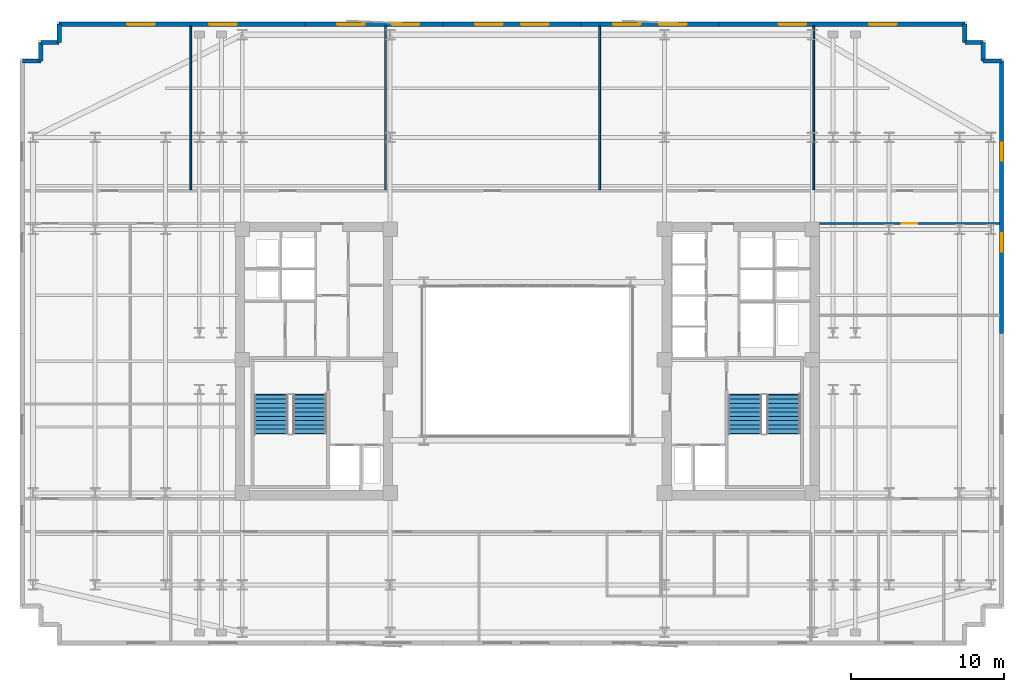
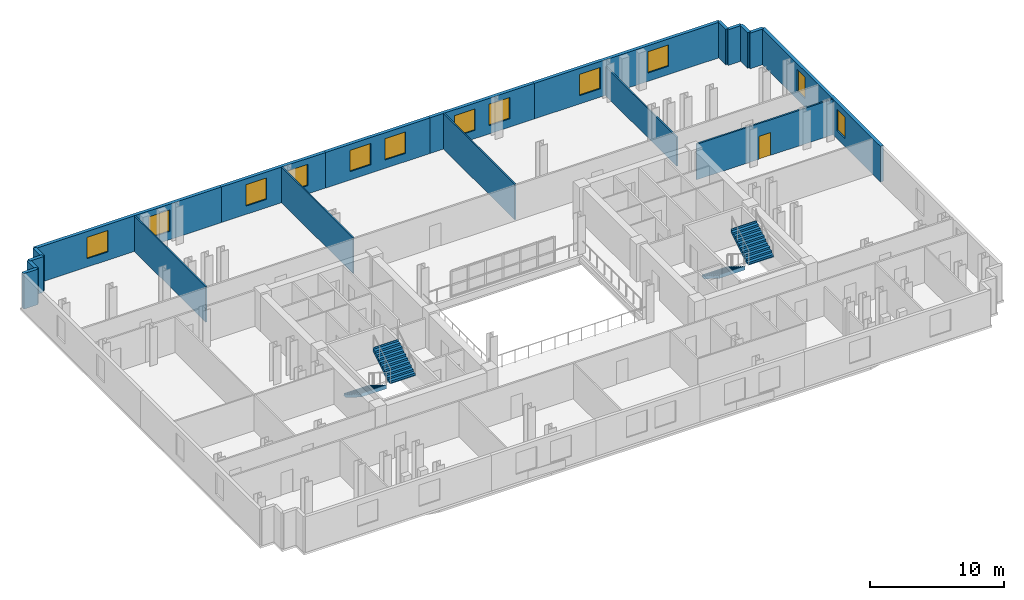
# One storey, part 10 of 12: 19 walls, 12 windows, 4 stair flights, 1 door, 13 openings, 2 elements without a shape of their own.
"""IFC4 building model written with IfcOpenShell, lengths in metres."""

import ifcopenshell
import ifcopenshell.guid

model = None  # the IFC model being written
_history = None  # IfcOwnerHistory: only IFC2X3 demands one
_inside = {}  # id of a spatial element -> (the spatial element, [elements in it])
_under = {}  # id of a project, library or spatial element -> (it, [spatial elements below it])
_declared = {}  # id of a project -> (the project, [libraries it declares])
_typed = {}  # id of a type object -> (the type object, [elements of that type])
_made_of = {}  # id of a material, layer set ... -> (it, [elements and type objects made of it])


def new_model(schema):
    """Start an empty IFC model of exactly this schema.

    Asked for "IFC4X3", IfcOpenShell would pick the latest addendum, in which some entities
    have other attributes; the version numbers below select the first issue.
    IFC2X3 requires an IfcOwnerHistory on every rooted entity: one is made here for all.
    """
    global model, _history
    if schema == "IFC4X3":
        model = ifcopenshell.file(schema_version=(4, 3, 0, 0))
    else:
        model = ifcopenshell.file(schema=schema)
    _inside.clear()
    _under.clear()
    _declared.clear()
    _typed.clear()
    _made_of.clear()
    _history = None
    if model.schema == "IFC2X3":
        org = make("IfcOrganization", Name="unknown")
        user = make(
            "IfcPersonAndOrganization",
            ThePerson=make("IfcPerson", FamilyName="unknown"),
            TheOrganization=org,
        )
        app = make(
            "IfcApplication",
            ApplicationDeveloper=org,
            Version="unknown",
            ApplicationFullName="unknown",
            ApplicationIdentifier="unknown",
        )
        _history = make(
            "IfcOwnerHistory",
            OwningUser=user,
            OwningApplication=app,
            ChangeAction="ADDED",
            CreationDate=0,
        )
    return model


def make(cls, **values):
    """One entity of the class cls with the attributes given. An attribute that is None is left unset."""
    return model.create_entity(
        cls, **{name: value for name, value in values.items() if value is not None}
    )


def rooted(cls, **values):
    """An entity with a GlobalId (a new one), such as an element, a storey or a relation."""
    return make(cls, GlobalId=ifcopenshell.guid.new(), OwnerHistory=_history, **values)


def si_unit(unit_type, name, prefix=None):
    """IfcSIUnit, for example si_unit("LENGTHUNIT", "METRE", prefix="MILLI")."""
    return make("IfcSIUnit", UnitType=unit_type, Prefix=prefix, Name=name)


def assignment(units):
    """IfcUnitAssignment: the units of a project."""
    return None if units is None else make("IfcUnitAssignment", Units=units)


def point(xyz):
    """IfcCartesianPoint."""
    return None if xyz is None else make("IfcCartesianPoint", Coordinates=xyz)


def direction(xyz):
    """IfcDirection."""
    return None if xyz is None else make("IfcDirection", DirectionRatios=xyz)


def frame(location, z_axis=None, x_axis=None):
    """IfcAxis2Placement3D, a coordinate frame: its origin and axes. An axis left out is left unset."""
    return make(
        "IfcAxis2Placement3D",
        Location=point(location),
        Axis=direction(z_axis),
        RefDirection=direction(x_axis),
    )


def frame_2d(location, x_axis=None):
    """IfcAxis2Placement2D, a coordinate frame in the plane: its origin and x axis."""
    return make(
        "IfcAxis2Placement2D", Location=point(location), RefDirection=direction(x_axis)
    )


def origin():
    """The frame at (0, 0, 0) with its axes left unset."""
    return frame((0.0, 0.0, 0.0))


def place(relative_to, where):
    """IfcLocalPlacement: puts the frame where relative to a parent placement (None: the world)."""
    return make(
        "IfcLocalPlacement", PlacementRelTo=relative_to, RelativePlacement=where
    )


def context(
    kind, dimensions, precision=None, world=None, true_north=None, identifier=None
):
    """IfcGeometricRepresentationContext, for example the 3D "Model" context."""
    return make(
        "IfcGeometricRepresentationContext",
        ContextIdentifier=identifier,
        ContextType=kind,
        CoordinateSpaceDimension=dimensions,
        Precision=precision,
        WorldCoordinateSystem=world,
        TrueNorth=true_north,
    )


def subcontext(parent, identifier, kind, view, scale=None):
    """IfcGeometricRepresentationSubContext, for example "Body" below "Model"."""
    return make(
        "IfcGeometricRepresentationSubContext",
        ContextIdentifier=identifier,
        ContextType=kind,
        ParentContext=parent,
        TargetScale=scale,
        TargetView=view,
    )


def project(units=None, contexts=None):
    """IfcProject with its units and contexts."""
    return rooted(
        "IfcProject",
        Name="project",
        RepresentationContexts=contexts,
        UnitsInContext=assignment(units),
    )


def spatial(cls, under=None, at=None, **own):
    """A site, building, storey or space (cls), placed at a placement, below another one or the project."""
    s = rooted(cls, ObjectPlacement=at, **own)
    if under is not None:
        _under.setdefault(under.id(), (under, []))[1].append(s)
    return s


def polyline(points):
    """IfcPolyline through the points."""
    return make("IfcPolyline", Points=[point(p) for p in points])


def profile(cls, at=None, kind="AREA", **sizes):
    """A parametric profile (cls). Its sizes go by their IFC names, for example OverallWidth=200.0."""
    return make(cls, ProfileType=kind, Position=at, **sizes)


def rectangle(**sizes):
    """IfcRectangleProfileDef."""
    return profile("IfcRectangleProfileDef", **sizes)


def outline(outer, holes=None, kind="AREA"):
    """IfcArbitraryClosedProfileDef: a profile drawn as a closed curve; with holes, ...WithVoids."""
    if holes is None:
        return make("IfcArbitraryClosedProfileDef", ProfileType=kind, OuterCurve=outer)
    return make(
        "IfcArbitraryProfileDefWithVoids",
        ProfileType=kind,
        OuterCurve=outer,
        InnerCurves=holes,
    )


def extrude(swept, where, along, depth):
    """IfcExtrudedAreaSolid: the profile swept, set in the frame where, extruded along a direction by depth."""
    return make(
        "IfcExtrudedAreaSolid",
        SweptArea=swept,
        Position=where,
        ExtrudedDirection=direction(along),
        Depth=depth,
    )


def shape(context_of_items, identifier, shape_type, items):
    """IfcShapeRepresentation: the items that make up one representation, for example the "Body"."""
    return make(
        "IfcShapeRepresentation",
        ContextOfItems=context_of_items,
        RepresentationIdentifier=identifier,
        RepresentationType=shape_type,
        Items=items,
    )


def material(Name=None, Category=None):
    """IfcMaterial."""
    return make("IfcMaterial", Name=Name, Category=Category)


def layer(
    of_material, thickness, ventilated=None, Name=None, Category=None, Priority=None
):
    """IfcMaterialLayer: one layer of a wall or slab, of a material (None: an air gap)."""
    return make(
        "IfcMaterialLayer",
        Material=of_material,
        LayerThickness=thickness,
        IsVentilated=ventilated,
        Name=Name,
        Category=Category,
        Priority=Priority,
    )


def layer_set(layers, Name=None):
    """IfcMaterialLayerSet."""
    return make("IfcMaterialLayerSet", MaterialLayers=layers, LayerSetName=Name)


def made_of(thing, what):
    """Note that an element or type object is made of a material, layer set ...; save() writes the relation."""
    if what is not None:
        _made_of.setdefault(what.id(), (what, []))[1].append(thing)
    return thing


def type_object(cls, material=None, **own):
    """A type object (cls), such as IfcWallType, which elements share."""
    return made_of(rooted(cls, **own), material)


def element(
    cls,
    number,
    at=None,
    inside=None,
    cuts=None,
    type_object=None,
    material=None,
    context=None,
    identifier="Body",
    shape_type=None,
    held_by="IfcProductDefinitionShape",
    body=None,
    shapes=None,
    **own,
):
    """One element of the class cls, such as IfcWall. Its Tag is "e" and its number.

    at: its placement. inside: the storey or other place that contains it. cuts: it is an
    opening in that element (IfcRelVoidsElement). A single representation is given by context,
    identifier, shape_type and body (its items); several are given by shapes. held_by: the class
    of the entity that holds the representations. save() writes the other relations.
    """
    e = rooted(cls, Tag="e%d" % number, ObjectPlacement=at, **own)
    if body is not None:
        shapes = [shape(context, identifier, shape_type, body)]
    if shapes is not None:
        e.Representation = make(held_by, Representations=shapes)
    if inside is not None:
        _inside.setdefault(inside.id(), (inside, []))[1].append(e)
    if cuts is not None:
        rooted(
            "IfcRelVoidsElement", RelatingBuildingElement=cuts, RelatedOpeningElement=e
        )
    if type_object is not None:
        _typed.setdefault(type_object.id(), (type_object, []))[1].append(e)
    return made_of(e, material)


def fill(opening, filler):
    """IfcRelFillsElement: the door or window that sits in an opening."""
    return rooted(
        "IfcRelFillsElement",
        RelatingOpeningElement=opening,
        RelatedBuildingElement=filler,
    )


def aggregate(whole, parts):
    """IfcRelAggregates: a whole, such as a stair, and the parts it consists of."""
    return rooted("IfcRelAggregates", RelatingObject=whole, RelatedObjects=parts)


def save(model, path):
    """Write the relations noted so far, then the file.

    IfcRelAggregates (storeys below a building ...), IfcRelContainedInSpatialStructure (elements
    in a storey), IfcRelDefinesByType, IfcRelAssociatesMaterial and IfcRelDeclares: one each for
    every whole, place, type object, material and project.
    """
    for whole, parts in _under.values():
        aggregate(whole, parts)
    for where, things in _inside.values():
        rooted(
            "IfcRelContainedInSpatialStructure",
            RelatedElements=things,
            RelatingStructure=where,
        )
    for kind, things in _typed.values():
        rooted("IfcRelDefinesByType", RelatedObjects=things, RelatingType=kind)
    for what, things in _made_of.values():
        rooted("IfcRelAssociatesMaterial", RelatedObjects=things, RelatingMaterial=what)
    for by, libraries in _declared.values():
        rooted("IfcRelDeclares", RelatingContext=by, RelatedDefinitions=libraries)
    model.write(path)


model = new_model("IFC4")

# Units and contexts
model_context = context("Model", 3, precision=1e-05, world=origin(), true_north=direction((0.0, 1.0)))
body_context = subcontext(model_context, "Body", "Model", "MODEL_VIEW")
ifc_project = project(units=[si_unit("LENGTHUNIT", "METRE"), si_unit("AREAUNIT", "SQUARE_METRE"), si_unit("VOLUMEUNIT", "CUBIC_METRE"), si_unit("PLANEANGLEUNIT", "RADIAN"), si_unit("MASSUNIT", "GRAM", prefix="KILO")], contexts=[model_context])

# Site, building, storey
site_placement = place(None, origin())
site = spatial("IfcSite", under=ifc_project, at=site_placement, CompositionType="ELEMENT")
building_placement = place(site_placement, origin())
building = spatial("IfcBuilding", under=site, at=building_placement, Name="Velakula Bourse", CompositionType="ELEMENT")
storey_placement = place(building_placement, frame((0.0, 0.0, 134.64990234375)))
storey = spatial("IfcBuildingStorey", under=building, at=storey_placement, Name="L36", CompositionType="ELEMENT", Elevation=134.64990234375)

# Wall, openings, windows
ifc_material_1 = material(Name="Red kilned clay facing brick masonry", Category="masonry")
ifc_layer_1 = layer(ifc_material_1, 0.280029296875, Name="Red kilned clay facing brick masonry", Category="masonry")
ifc_layer_set_1 = layer_set([ifc_layer_1], Name="Red kilned clay facing brick masonry")
wall_type_1 = type_object("IfcWallType", Name="WL-EXT-BRK-280", PredefinedType="STANDARD", material=ifc_layer_set_1)
wall_1_placement = place(storey_placement, frame((-30.5400390625, 21.989990234375, 0.0), z_axis=(0.0, 0.0, 1.0), x_axis=(1.0, 0.0, 0.0)))
wall_1 = element("IfcWall", 1, at=wall_1_placement, inside=storey, type_object=wall_type_1, Name="L36 N Brick Spandrel Wall B1", PredefinedType="STANDARD", context=body_context, shape_type="SweptSolid", body=[
    extrude(rectangle(XDim=16.0400390625, YDim=0.280029296875, at=frame_2d((8.02001953125, 0.0))), origin(), (0.0, 0.0, 1.0), 3.25),
])
opening_1_placement = place(wall_1_placement, frame((4.44677734375, 0.0, 0.760009765625)))
opening_1 = element("IfcOpeningElement", 2, at=opening_1_placement, cuts=wall_1, Name="Opening W-01", PredefinedType="OPENING", context=body_context, shape_type="SweptSolid", body=[
    extrude(rectangle(XDim=1.800048828125, YDim=1.949951171875, at=frame_2d((0.89990234375, 0.97509765625))), frame((0.0, 0.14990234375, 0.0), z_axis=(0.0, -1.0, 0.0), x_axis=(1.0, 0.0, 0.0)), (0.0, 0.0, 1.0), 0.300048828125),
])
opening_2_placement = place(wall_1_placement, frame((9.793212890625, 0.0, 0.760009765625)))
opening_2 = element("IfcOpeningElement", 3, at=opening_2_placement, cuts=wall_1, Name="Opening W-01", PredefinedType="OPENING", context=body_context, shape_type="SweptSolid", body=[
    extrude(rectangle(XDim=1.800048828125, YDim=1.949951171875, at=frame_2d((0.89990234375, 0.97509765625))), frame((0.0, 0.14990234375, 0.0), z_axis=(0.0, -1.0, 0.0), x_axis=(1.0, 0.0, 0.0)), (0.0, 0.0, 1.0), 0.300048828125),
])
ifc_material_2 = material(Name="Double-glazed solar-control Low-E glass", Category="glass")
window_type_1 = type_object("IfcWindowType", Name="WIN-TWR-1800x2100", PartitioningType="SINGLE_PANEL", PredefinedType="WINDOW", material=ifc_material_2)
window_1_placement = place(opening_1_placement, origin())
window_1 = element("IfcWindow", 4, at=window_1_placement, inside=storey, type_object=window_type_1, Name="L36 Deep-Set Recessed Window 1", OverallHeight=1.949951171875, OverallWidth=1.800048828125, PartitioningType="SINGLE_PANEL", PredefinedType="WINDOW", context=body_context, shape_type="SweptSolid", body=[
    extrude(rectangle(XDim=1.800048828125, YDim=1.949951171875, at=frame_2d((0.89990234375, 0.97509765625))), frame((0.0, 0.030029296875, 0.0), z_axis=(0.0, -1.0, 0.0), x_axis=(1.0, 0.0, 0.0)), (0.0, 0.0, 1.0), 0.06005859375),
])
fill(opening_1, window_1)
window_2_placement = place(opening_2_placement, origin())
window_2 = element("IfcWindow", 5, at=window_2_placement, inside=storey, type_object=window_type_1, Name="L36 Deep-Set Recessed Window 2", OverallHeight=1.949951171875, OverallWidth=1.800048828125, PartitioningType="SINGLE_PANEL", PredefinedType="WINDOW", context=body_context, shape_type="SweptSolid", body=[
    extrude(rectangle(XDim=1.800048828125, YDim=1.949951171875, at=frame_2d((0.89990234375, 0.97509765625))), frame((0.0, 0.030029296875, 0.0), z_axis=(0.0, -1.0, 0.0), x_axis=(1.0, 0.0, 0.0)), (0.0, 0.0, 1.0), 0.06005859375),
])
fill(opening_2, window_2)

wall_2_placement = place(storey_placement, frame((-14.5, 21.989990234375, 0.0), z_axis=(0.0, 0.0, 1.0), x_axis=(1.0, 0.0, 0.0)))
wall_2 = element("IfcWall", 6, at=wall_2_placement, inside=storey, type_object=wall_type_1, Name="L36 N Brick Spandrel Wall B2", PredefinedType="STANDARD", context=body_context, shape_type="SweptSolid", body=[
    extrude(rectangle(XDim=9.0, YDim=0.280029296875, at=frame_2d((4.5, 0.0))), origin(), (0.0, 0.0, 1.0), 3.25),
])
opening_3_placement = place(wall_2_placement, frame((2.10009765625, 0.0, 0.760009765625)))
opening_3 = element("IfcOpeningElement", 7, at=opening_3_placement, cuts=wall_2, Name="Opening W-01", PredefinedType="OPENING", context=body_context, shape_type="SweptSolid", body=[
    extrude(rectangle(XDim=1.800048828125, YDim=1.949951171875, at=frame_2d((0.89990234375, 0.97509765625))), frame((0.0, 0.14990234375, 0.0), z_axis=(0.0, -1.0, 0.0), x_axis=(1.0, 0.0, 0.0)), (0.0, 0.0, 1.0), 0.300048828125),
])
opening_4_placement = place(wall_2_placement, frame((5.64990234375, 0.0, 0.760009765625)))
opening_4 = element("IfcOpeningElement", 8, at=opening_4_placement, cuts=wall_2, Name="Opening W-01", PredefinedType="OPENING", context=body_context, shape_type="SweptSolid", body=[
    extrude(rectangle(XDim=1.800048828125, YDim=1.949951171875, at=frame_2d((0.89990234375, 0.97509765625))), frame((0.0, 0.14990234375, 0.0), z_axis=(0.0, -1.0, 0.0), x_axis=(1.0, 0.0, 0.0)), (0.0, 0.0, 1.0), 0.300048828125),
])
window_3_placement = place(opening_3_placement, origin())
window_3 = element("IfcWindow", 9, at=window_3_placement, inside=storey, type_object=window_type_1, Name="L36 Deep-Set Recessed Window 1", OverallHeight=1.949951171875, OverallWidth=1.800048828125, PartitioningType="SINGLE_PANEL", PredefinedType="WINDOW", context=body_context, shape_type="SweptSolid", body=[
    extrude(rectangle(XDim=1.800048828125, YDim=1.949951171875, at=frame_2d((0.89990234375, 0.97509765625))), frame((0.0, 0.030029296875, 0.0), z_axis=(0.0, -1.0, 0.0), x_axis=(1.0, 0.0, 0.0)), (0.0, 0.0, 1.0), 0.06005859375),
])
fill(opening_3, window_3)
window_4_placement = place(opening_4_placement, origin())
window_4 = element("IfcWindow", 10, at=window_4_placement, inside=storey, type_object=window_type_1, Name="L36 Deep-Set Recessed Window 2", OverallHeight=1.949951171875, OverallWidth=1.800048828125, PartitioningType="SINGLE_PANEL", PredefinedType="WINDOW", context=body_context, shape_type="SweptSolid", body=[
    extrude(rectangle(XDim=1.800048828125, YDim=1.949951171875, at=frame_2d((0.89990234375, 0.97509765625))), frame((0.0, 0.030029296875, 0.0), z_axis=(0.0, -1.0, 0.0), x_axis=(1.0, 0.0, 0.0)), (0.0, 0.0, 1.0), 0.06005859375),
])
fill(opening_4, window_4)

wall_3_placement = place(storey_placement, frame((-5.5, 21.989990234375, 0.0), z_axis=(0.0, 0.0, 1.0), x_axis=(1.0, 0.0, 0.0)))
wall_3 = element("IfcWall", 11, at=wall_3_placement, inside=storey, type_object=wall_type_1, Name="L36 N Brick Spandrel Wall B3", PredefinedType="STANDARD", context=body_context, shape_type="SweptSolid", body=[
    extrude(rectangle(XDim=9.0, YDim=0.280029296875, at=frame_2d((4.5, 0.0))), origin(), (0.0, 0.0, 1.0), 3.25),
])
opening_5_placement = place(wall_3_placement, frame((2.10009765625, 0.0, 0.760009765625)))
opening_5 = element("IfcOpeningElement", 12, at=opening_5_placement, cuts=wall_3, Name="Opening W-01", PredefinedType="OPENING", context=body_context, shape_type="SweptSolid", body=[
    extrude(rectangle(XDim=1.800048828125, YDim=1.949951171875, at=frame_2d((0.89990234375, 0.97509765625))), frame((0.0, 0.14990234375, 0.0), z_axis=(0.0, -1.0, 0.0), x_axis=(1.0, 0.0, 0.0)), (0.0, 0.0, 1.0), 0.300048828125),
])
opening_6_placement = place(wall_3_placement, frame((5.10009765625, 0.0, 0.760009765625)))
opening_6 = element("IfcOpeningElement", 13, at=opening_6_placement, cuts=wall_3, Name="Opening W-01", PredefinedType="OPENING", context=body_context, shape_type="SweptSolid", body=[
    extrude(rectangle(XDim=1.800048828125, YDim=1.949951171875, at=frame_2d((0.89990234375, 0.97509765625))), frame((0.0, 0.14990234375, 0.0), z_axis=(0.0, -1.0, 0.0), x_axis=(1.0, 0.0, 0.0)), (0.0, 0.0, 1.0), 0.300048828125),
])
window_5_placement = place(opening_5_placement, origin())
window_5 = element("IfcWindow", 14, at=window_5_placement, inside=storey, type_object=window_type_1, Name="L36 Deep-Set Recessed Window 1", OverallHeight=1.949951171875, OverallWidth=1.800048828125, PartitioningType="SINGLE_PANEL", PredefinedType="WINDOW", context=body_context, shape_type="SweptSolid", body=[
    extrude(rectangle(XDim=1.800048828125, YDim=1.949951171875, at=frame_2d((0.89990234375, 0.97509765625))), frame((0.0, 0.030029296875, 0.0), z_axis=(0.0, -1.0, 0.0), x_axis=(1.0, 0.0, 0.0)), (0.0, 0.0, 1.0), 0.06005859375),
])
fill(opening_5, window_5)
window_6_placement = place(opening_6_placement, origin())
window_6 = element("IfcWindow", 15, at=window_6_placement, inside=storey, type_object=window_type_1, Name="L36 Deep-Set Recessed Window 2", OverallHeight=1.949951171875, OverallWidth=1.800048828125, PartitioningType="SINGLE_PANEL", PredefinedType="WINDOW", context=body_context, shape_type="SweptSolid", body=[
    extrude(rectangle(XDim=1.800048828125, YDim=1.949951171875, at=frame_2d((0.89990234375, 0.97509765625))), frame((0.0, 0.030029296875, 0.0), z_axis=(0.0, -1.0, 0.0), x_axis=(1.0, 0.0, 0.0)), (0.0, 0.0, 1.0), 0.06005859375),
])
fill(opening_6, window_6)

wall_4_placement = place(storey_placement, frame((3.5, 21.989990234375, 0.0), z_axis=(0.0, 0.0, 1.0), x_axis=(1.0, 0.0, 0.0)))
wall_4 = element("IfcWall", 16, at=wall_4_placement, inside=storey, type_object=wall_type_1, Name="L36 N Brick Spandrel Wall B4", PredefinedType="STANDARD", context=body_context, shape_type="SweptSolid", body=[
    extrude(rectangle(XDim=9.0, YDim=0.280029296875, at=frame_2d((4.5, 0.0))), origin(), (0.0, 0.0, 1.0), 3.25),
])
opening_7_placement = place(wall_4_placement, frame((2.10009765625, 0.0, 0.760009765625)))
opening_7 = element("IfcOpeningElement", 17, at=opening_7_placement, cuts=wall_4, Name="Opening W-01", PredefinedType="OPENING", context=body_context, shape_type="SweptSolid", body=[
    extrude(rectangle(XDim=1.800048828125, YDim=1.949951171875, at=frame_2d((0.89990234375, 0.97509765625))), frame((0.0, 0.14990234375, 0.0), z_axis=(0.0, -1.0, 0.0), x_axis=(1.0, 0.0, 0.0)), (0.0, 0.0, 1.0), 0.300048828125),
])
opening_8_placement = place(wall_4_placement, frame((5.10009765625, 0.0, 0.760009765625)))
opening_8 = element("IfcOpeningElement", 18, at=opening_8_placement, cuts=wall_4, Name="Opening W-01", PredefinedType="OPENING", context=body_context, shape_type="SweptSolid", body=[
    extrude(rectangle(XDim=1.800048828125, YDim=1.949951171875, at=frame_2d((0.89990234375, 0.97509765625))), frame((0.0, 0.14990234375, 0.0), z_axis=(0.0, -1.0, 0.0), x_axis=(1.0, 0.0, 0.0)), (0.0, 0.0, 1.0), 0.300048828125),
])
window_7_placement = place(opening_7_placement, origin())
window_7 = element("IfcWindow", 19, at=window_7_placement, inside=storey, type_object=window_type_1, Name="L36 Deep-Set Recessed Window 1", OverallHeight=1.949951171875, OverallWidth=1.800048828125, PartitioningType="SINGLE_PANEL", PredefinedType="WINDOW", context=body_context, shape_type="SweptSolid", body=[
    extrude(rectangle(XDim=1.800048828125, YDim=1.949951171875, at=frame_2d((0.89990234375, 0.97509765625))), frame((0.0, 0.030029296875, 0.0), z_axis=(0.0, -1.0, 0.0), x_axis=(1.0, 0.0, 0.0)), (0.0, 0.0, 1.0), 0.06005859375),
])
fill(opening_7, window_7)
window_8_placement = place(opening_8_placement, origin())
window_8 = element("IfcWindow", 20, at=window_8_placement, inside=storey, type_object=window_type_1, Name="L36 Deep-Set Recessed Window 2", OverallHeight=1.949951171875, OverallWidth=1.800048828125, PartitioningType="SINGLE_PANEL", PredefinedType="WINDOW", context=body_context, shape_type="SweptSolid", body=[
    extrude(rectangle(XDim=1.800048828125, YDim=1.949951171875, at=frame_2d((0.89990234375, 0.97509765625))), frame((0.0, 0.030029296875, 0.0), z_axis=(0.0, -1.0, 0.0), x_axis=(1.0, 0.0, 0.0)), (0.0, 0.0, 1.0), 0.06005859375),
])
fill(opening_8, window_8)

wall_5_placement = place(storey_placement, frame((12.5, 21.989990234375, 0.0), z_axis=(0.0, 0.0, 1.0), x_axis=(1.0, 0.0, 0.0)))
wall_5 = element("IfcWall", 21, at=wall_5_placement, inside=storey, type_object=wall_type_1, Name="L36 N Brick Spandrel Wall B5", PredefinedType="STANDARD", context=body_context, shape_type="SweptSolid", body=[
    extrude(rectangle(XDim=16.0400390625, YDim=0.280029296875, at=frame_2d((8.02001953125, 0.0))), origin(), (0.0, 0.0, 1.0), 3.25),
])
opening_9_placement = place(wall_5_placement, frame((3.896728515625, 0.0, 0.760009765625)))
opening_9 = element("IfcOpeningElement", 22, at=opening_9_placement, cuts=wall_5, Name="Opening W-01", PredefinedType="OPENING", context=body_context, shape_type="SweptSolid", body=[
    extrude(rectangle(XDim=1.800048828125, YDim=1.949951171875, at=frame_2d((0.89990234375, 0.97509765625))), frame((0.0, 0.14990234375, 0.0), z_axis=(0.0, -1.0, 0.0), x_axis=(1.0, 0.0, 0.0)), (0.0, 0.0, 1.0), 0.300048828125),
])
opening_10_placement = place(wall_5_placement, frame((9.793212890625, 0.0, 0.760009765625)))
opening_10 = element("IfcOpeningElement", 23, at=opening_10_placement, cuts=wall_5, Name="Opening W-01", PredefinedType="OPENING", context=body_context, shape_type="SweptSolid", body=[
    extrude(rectangle(XDim=1.800048828125, YDim=1.949951171875, at=frame_2d((0.89990234375, 0.97509765625))), frame((0.0, 0.14990234375, 0.0), z_axis=(0.0, -1.0, 0.0), x_axis=(1.0, 0.0, 0.0)), (0.0, 0.0, 1.0), 0.300048828125),
])
window_9_placement = place(opening_9_placement, origin())
window_9 = element("IfcWindow", 24, at=window_9_placement, inside=storey, type_object=window_type_1, Name="L36 Deep-Set Recessed Window 1", OverallHeight=1.949951171875, OverallWidth=1.800048828125, PartitioningType="SINGLE_PANEL", PredefinedType="WINDOW", context=body_context, shape_type="SweptSolid", body=[
    extrude(rectangle(XDim=1.800048828125, YDim=1.949951171875, at=frame_2d((0.89990234375, 0.97509765625))), frame((0.0, 0.030029296875, 0.0), z_axis=(0.0, -1.0, 0.0), x_axis=(1.0, 0.0, 0.0)), (0.0, 0.0, 1.0), 0.06005859375),
])
fill(opening_9, window_9)
window_10_placement = place(opening_10_placement, origin())
window_10 = element("IfcWindow", 25, at=window_10_placement, inside=storey, type_object=window_type_1, Name="L36 Deep-Set Recessed Window 2", OverallHeight=1.949951171875, OverallWidth=1.800048828125, PartitioningType="SINGLE_PANEL", PredefinedType="WINDOW", context=body_context, shape_type="SweptSolid", body=[
    extrude(rectangle(XDim=1.800048828125, YDim=1.949951171875, at=frame_2d((0.89990234375, 0.97509765625))), frame((0.0, 0.030029296875, 0.0), z_axis=(0.0, -1.0, 0.0), x_axis=(1.0, 0.0, 0.0)), (0.0, 0.0, 1.0), 0.06005859375),
])
fill(opening_10, window_10)

wall_6_placement = place(storey_placement, frame((30.93994140625, 19.590087890625, 0.0), z_axis=(0.0, 0.0, 1.0), x_axis=(0.0, -1.0, 0.0)))
wall_6 = element("IfcWall", 26, at=wall_6_placement, inside=storey, type_object=wall_type_1, Name="L36 E Brick End Wall W2", PredefinedType="STANDARD", context=body_context, shape_type="SweptSolid", body=[
    extrude(rectangle(XDim=17.7900390625, YDim=0.280029296875, at=frame_2d((8.89501953125, 0.0))), origin(), (0.0, 0.0, 1.0), 3.25),
])
opening_11_placement = place(wall_6_placement, frame((5.330078125, 0.0, 0.760009765625)))
opening_11 = element("IfcOpeningElement", 27, at=opening_11_placement, cuts=wall_6, Name="Opening W-04", PredefinedType="OPENING", context=body_context, shape_type="SweptSolid", body=[
    extrude(rectangle(XDim=1.199951171875, YDim=1.949951171875, at=frame_2d((0.60009765625, 0.97509765625))), frame((0.0, 0.14990234375, 0.0), z_axis=(0.0, -1.0, 0.0), x_axis=(1.0, 0.0, 0.0)), (0.0, 0.0, 1.0), 0.300048828125),
])
opening_12_placement = place(wall_6_placement, frame((11.260009765625, 0.0, 0.760009765625)))
opening_12 = element("IfcOpeningElement", 28, at=opening_12_placement, cuts=wall_6, Name="Opening W-04", PredefinedType="OPENING", context=body_context, shape_type="SweptSolid", body=[
    extrude(rectangle(XDim=1.199951171875, YDim=1.949951171875, at=frame_2d((0.60009765625, 0.97509765625))), frame((0.0, 0.14990234375, 0.0), z_axis=(0.0, -1.0, 0.0), x_axis=(1.0, 0.0, 0.0)), (0.0, 0.0, 1.0), 0.300048828125),
])
window_type_2 = type_object("IfcWindowType", Name="WIN-TWR-1200x2100", PartitioningType="SINGLE_PANEL", PredefinedType="WINDOW", material=ifc_material_2)
window_11_placement = place(opening_11_placement, origin())
window_11 = element("IfcWindow", 29, at=window_11_placement, inside=storey, type_object=window_type_2, Name="L36 Deep-Set Recessed Window 1", OverallHeight=1.949951171875, OverallWidth=1.199951171875, PartitioningType="SINGLE_PANEL", PredefinedType="WINDOW", context=body_context, shape_type="SweptSolid", body=[
    extrude(rectangle(XDim=1.199951171875, YDim=1.949951171875, at=frame_2d((0.60009765625, 0.97509765625))), frame((0.0, 0.030029296875, 0.0), z_axis=(0.0, -1.0, 0.0), x_axis=(1.0, 0.0, 0.0)), (0.0, 0.0, 1.0), 0.06005859375),
])
fill(opening_11, window_11)
window_12_placement = place(opening_12_placement, origin())
window_12 = element("IfcWindow", 30, at=window_12_placement, inside=storey, type_object=window_type_2, Name="L36 Deep-Set Recessed Window 2", OverallHeight=1.949951171875, OverallWidth=1.199951171875, PartitioningType="SINGLE_PANEL", PredefinedType="WINDOW", context=body_context, shape_type="SweptSolid", body=[
    extrude(rectangle(XDim=1.199951171875, YDim=1.949951171875, at=frame_2d((0.60009765625, 0.97509765625))), frame((0.0, 0.030029296875, 0.0), z_axis=(0.0, -1.0, 0.0), x_axis=(1.0, 0.0, 0.0)), (0.0, 0.0, 1.0), 0.06005859375),
])
fill(opening_12, window_12)

# Walls
for number, where, z_axis, x_axis, name in (
    (31, (30.93994140625, 19.590087890625, 0.0), (0.0, 0.0, 1.0), (-1.0, 0.0, 0.0), "L36 Serrated Corner Brick Wall NE-1"),
    (32, (29.739990234375, 19.590087890625, 0.0), (0.0, 0.0, 1.0), (0.0, 1.0, 0.0), "L36 Serrated Corner Brick Wall NE-2"),
    (33, (29.739990234375, 20.7900390625, 0.0), (0.0, 0.0, 1.0), (-1.0, 0.0, 0.0), "L36 Serrated Corner Brick Wall NE-3"),
    (34, (28.5400390625, 20.7900390625, 0.0), (0.0, 0.0, 1.0), (0.0, 1.0, 0.0), "L36 Serrated Corner Brick Wall NE-4"),
    (35, (-30.5400390625, 21.989990234375, 0.0), (0.0, 0.0, 1.0), (0.0, -1.0, 0.0), "L36 Serrated Corner Brick Wall NW-1"),
    (36, (-30.5400390625, 20.7900390625, 0.0), (0.0, 0.0, 1.0), (-1.0, 0.0, 0.0), "L36 Serrated Corner Brick Wall NW-2"),
    (37, (-31.739990234375, 20.7900390625, 0.0), (0.0, 0.0, 1.0), (0.0, -1.0, 0.0), "L36 Serrated Corner Brick Wall NW-3"),
    (38, (-31.739990234375, 19.590087890625, 0.0), (0.0, 0.0, 1.0), (-1.0, 0.0, 0.0), "L36 Serrated Corner Brick Wall NW-4"),
):
    element("IfcWall", number, at=place(storey_placement, frame(where, z_axis=z_axis, x_axis=x_axis)), inside=storey, type_object=wall_type_1, Name=name, PredefinedType="STANDARD", context=body_context, shape_type="SweptSolid", body=[
        extrude(rectangle(XDim=1.199951171875, YDim=0.280029296875, at=frame_2d((0.60009765625, 0.0))), origin(), (0.0, 0.0, 1.0), 3.25),
    ])
ifc_material_3 = material(Name="Fire-rated double-layer gypsum drywall partition", Category="gypsum")
ifc_layer_2 = layer(ifc_material_3, 0.1201171875, Name="Fire-rated double-layer gypsum drywall partition", Category="gypsum")
ifc_layer_set_2 = layer_set([ifc_layer_2], Name="Fire-rated double-layer gypsum drywall partition")
wall_type_2 = type_object("IfcWallType", Name="WL-PART-120", PredefinedType="STANDARD", material=ifc_layer_set_2)
for number, where, z_axis, x_axis, name in (
    (39, (-21.9619140625, 11.18994140625, 0.0), (0.0, 0.0, 1.0), (0.0, 1.0, 0.0), "L36 Interior Partition WL-INT-L36-N-D1"),
    (40, (-9.258056640625, 11.18994140625, 0.0), (0.0, 0.0, 1.0), (0.0, 1.0, 0.0), "L36 Interior Partition WL-INT-L36-N-D2"),
    (41, (4.717041015625, 11.18994140625, 0.0), (0.0, 0.0, 1.0), (0.0, 1.0, 0.0), "L36 Interior Partition WL-INT-L36-N-D3"),
):
    element("IfcWall", number, at=place(storey_placement, frame(where, z_axis=z_axis, x_axis=x_axis)), inside=storey, type_object=wall_type_2, Name=name, PredefinedType="STANDARD", context=body_context, shape_type="SweptSolid", body=[
        extrude(rectangle(XDim=10.68017578125, YDim=0.1201171875, at=frame_2d((5.340087890625, 0.0))), origin(), (0.0, 0.0, 1.0), 3.25),
    ])
wall_7_placement = place(storey_placement, frame((18.69091796875, 11.18994140625, 0.0), z_axis=(0.0, 0.0, 1.0), x_axis=(0.0, 1.0, 0.0)))
element("IfcWall", 42, at=wall_7_placement, inside=storey, type_object=wall_type_2, Name="L36 Interior Partition WL-INT-L36-N-D4", PredefinedType="STANDARD", context=body_context, shape_type="SweptSolid", body=[
    extrude(rectangle(XDim=10.68017578125, YDim=0.1201171875, at=frame_2d((5.340087890625, 0.0))), origin(), (0.0, 0.0, 1.0), 2.64501953125),
])

# Wall, opening, door
ifc_layer_3 = layer(ifc_material_3, 0.139892578125, Name="Fire-rated double-layer gypsum drywall partition", Category="gypsum")
ifc_layer_set_3 = layer_set([ifc_layer_3], Name="Fire-rated double-layer gypsum drywall partition")
wall_type_3 = type_object("IfcWallType", Name="WL-PART-140", PredefinedType="STANDARD", material=ifc_layer_set_3)
wall_8_placement = place(storey_placement, frame((19.050048828125, 8.97998046875, 0.0), z_axis=(0.0, 0.0, 1.0), x_axis=(1.0, 0.0, 0.0)))
wall_8 = element("IfcWall", 43, at=wall_8_placement, inside=storey, type_object=wall_type_3, Name="L36 Interior Partition WL-INT-L36-E-NC", PredefinedType="STANDARD", context=body_context, shape_type="SweptSolid", body=[
    extrude(rectangle(XDim=11.77001953125, YDim=0.139892578125, at=frame_2d((5.885009765625, 0.0))), origin(), (0.0, 0.0, 1.0), 3.25),
])
opening_13_placement = place(wall_8_placement, frame((5.385009765625, 0.0, 0.0)))
opening_13 = element("IfcOpeningElement", 44, at=opening_13_placement, cuts=wall_8, Name="Opening D-OF1", PredefinedType="OPENING", context=body_context, shape_type="SweptSolid", body=[
    extrude(rectangle(XDim=1.0, YDim=2.080078125, at=frame_2d((0.5, 1.0400390625))), frame((0.0, 0.079833984375, 0.0), z_axis=(0.0, -1.0, 0.0), x_axis=(1.0, 0.0, 0.0)), (0.0, 0.0, 1.0), 0.159912109375),
])
ifc_material_4 = material(Name="Fire-rated hardwood flush architectural door", Category="wood")
door_type = type_object("IfcDoorType", Name="DR-OFF-1000", OperationType="NOTDEFINED", PredefinedType="DOOR", material=ifc_material_4)
door_placement = place(opening_13_placement, origin())
door = element("IfcDoor", 45, at=door_placement, inside=storey, type_object=door_type, Name="L36 Issuer Relations Office Door", OperationType="SINGLE_SWING_LEFT", OverallHeight=2.080078125, OverallWidth=1.0, PredefinedType="DOOR", context=body_context, shape_type="SweptSolid", body=[
    extrude(rectangle(XDim=1.0, YDim=2.080078125, at=frame_2d((0.5, 1.0400390625))), frame((0.0, 0.02490234375, 0.0), z_axis=(0.0, -1.0, 0.0), x_axis=(1.0, 0.0, 0.0)), (0.0, 0.0, 1.0), 0.050048828125),
])
fill(opening_13, door)

# Stair, stair flights
ifc_material_5 = material(Name="Concrete M45 (fck 45 MPa)", Category="concrete")
stair_type = type_object("IfcStairType", Name="STR-DOG-390", PredefinedType="HALF_TURN_STAIR", material=ifc_material_5)
stair_1_placement = place(storey_placement, origin())
stair_1 = element("IfcStair", 46, at=stair_1_placement, inside=storey, type_object=stair_type, Name="L36 West Core Exit Stair ST-W1", PredefinedType="HALF_TURN_STAIR")
ifc_layer_4 = layer(ifc_material_5, 0.195068359375, Name="Concrete M45 (fck 45 MPa)", Category="concrete")
ifc_layer_set_4 = layer_set([ifc_layer_4], Name="Concrete M45 (fck 45 MPa)")
stair_flight_type = type_object("IfcStairFlightType", Name="FLT-DOG-390", PredefinedType="STRAIGHT", material=ifc_layer_set_4)
stair_flight_1_placement = place(storey_placement, frame((-16.720947265625, -2.199951171875, 0.0), z_axis=(0.0, 0.0, 1.0), x_axis=(0.0, -1.0, 0.0)))
stair_flight_1 = element("IfcStairFlight", 47, at=stair_flight_1_placement, type_object=stair_flight_type, Name="ST-W1 flight 1", NumberOfRisers=10, NumberOfTreads=9, PredefinedType="STRAIGHT", RiserHeight=0.1725, TreadLength=0.28, context=body_context, shape_type="SweptSolid", body=[
    extrude(outline(polyline([(-0.044921875, -0.0400390625), (-0.044921875, -0.036865234375), (-0.044921875, -0.033935546875), (-0.044921875, -0.03076171875), (-0.044921875, -0.027587890625), (-0.044921875, -0.024658203125), (-0.044921875, -0.021484375), (-0.044921875, -0.0185546875), (-0.044921875, -0.015380859375), (-0.044921875, -0.01220703125), (-0.044921875, -0.00927734375), (-0.044921875, -0.006103515625), (-0.044921875, -0.003173828125), (-0.044921875, 0.0), (0.0, 0.0), (0.0, 0.172607421875), (0.280029296875, 0.172607421875), (0.280029296875, 0.344970703125), (0.56005859375, 0.344970703125), (0.56005859375, 0.517578125), (0.840087890625, 0.517578125), (0.840087890625, 0.68994140625), (1.1201171875, 0.68994140625), (1.1201171875, 0.862548828125), (1.39990234375, 0.862548828125), (1.39990234375, 1.034912109375), (1.679931640625, 1.034912109375), (1.679931640625, 1.20751953125), (1.9599609375, 1.20751953125), (1.9599609375, 1.3798828125), (2.239990234375, 1.3798828125), (2.239990234375, 1.552490234375), (2.52001953125, 1.552490234375), (2.52001953125, 1.72509765625), (2.56494140625, 1.72509765625), (2.56494140625, 1.7001953125), (2.56494140625, 1.67529296875), (2.56494140625, 1.650390625), (2.56494140625, 1.62548828125), (2.56494140625, 1.6005859375), (2.56494140625, 1.57568359375), (2.56494140625, 1.55078125), (2.56494140625, 1.52587890625), (2.56494140625, 1.5009765625), (2.56494140625, 1.47607421875), (2.56494140625, 1.451171875), (2.56494140625, 1.42626953125), (2.56494140625, 1.4013671875), (2.56494140625, 1.37646484375), (0.285888671875, -0.0400390625), (-0.044921875, -0.0400390625)])), frame((0.0, 1.09912109375, 0.0), z_axis=(0.0, -1.0, 0.0), x_axis=(1.0, 0.0, 0.0)), (0.0, 0.0, 1.0), 2.197998046875),
])
stair_flight_2_placement = place(storey_placement, frame((-14.198974609375, -4.719970703125, 1.72509765625), z_axis=(0.0, 0.0, 1.0), x_axis=(0.0, 1.0, 0.0)))
stair_flight_2 = element("IfcStairFlight", 48, at=stair_flight_2_placement, type_object=stair_flight_type, Name="ST-W1 flight 2", NumberOfRisers=10, NumberOfTreads=9, PredefinedType="STRAIGHT", RiserHeight=0.1725, TreadLength=0.28, context=body_context, shape_type="SweptSolid", body=[
    extrude(outline(polyline([(-0.044921875, -0.0400390625), (-0.044921875, -0.036865234375), (-0.044921875, -0.033935546875), (-0.044921875, -0.03076171875), (-0.044921875, -0.027587890625), (-0.044921875, -0.024658203125), (-0.044921875, -0.021484375), (-0.044921875, -0.0185546875), (-0.044921875, -0.015380859375), (-0.044921875, -0.01220703125), (-0.044921875, -0.00927734375), (-0.044921875, -0.006103515625), (-0.044921875, -0.003173828125), (-0.044921875, 0.0), (0.0, 0.0), (0.0, 0.172607421875), (0.280029296875, 0.172607421875), (0.280029296875, 0.344970703125), (0.56005859375, 0.344970703125), (0.56005859375, 0.517578125), (0.840087890625, 0.517578125), (0.840087890625, 0.68994140625), (1.1201171875, 0.68994140625), (1.1201171875, 0.862548828125), (1.39990234375, 0.862548828125), (1.39990234375, 1.034912109375), (1.679931640625, 1.034912109375), (1.679931640625, 1.20751953125), (1.9599609375, 1.20751953125), (1.9599609375, 1.3798828125), (2.239990234375, 1.3798828125), (2.239990234375, 1.552490234375), (2.52001953125, 1.552490234375), (2.52001953125, 1.72509765625), (2.56494140625, 1.72509765625), (2.56494140625, 1.7001953125), (2.56494140625, 1.67529296875), (2.56494140625, 1.650390625), (2.56494140625, 1.62548828125), (2.56494140625, 1.6005859375), (2.56494140625, 1.57568359375), (2.56494140625, 1.55078125), (2.56494140625, 1.52587890625), (2.56494140625, 1.5009765625), (2.56494140625, 1.47607421875), (2.56494140625, 1.451171875), (2.56494140625, 1.42626953125), (2.56494140625, 1.4013671875), (2.56494140625, 1.37646484375), (0.285888671875, -0.0400390625), (-0.044921875, -0.0400390625)])), frame((0.0, 1.09912109375, 0.0), z_axis=(0.0, -1.0, 0.0), x_axis=(1.0, 0.0, 0.0)), (0.0, 0.0, 1.0), 2.197998046875),
])
aggregate(stair_1, [stair_flight_1, stair_flight_2])

stair_2_placement = place(storey_placement, origin())
stair_2 = element("IfcStair", 49, at=stair_2_placement, inside=storey, type_object=stair_type, Name="L36 East Core Exit Stair ST-E1", PredefinedType="HALF_TURN_STAIR")
stair_flight_3_placement = place(storey_placement, frame((14.198974609375, -2.199951171875, 0.0), z_axis=(0.0, 0.0, 1.0), x_axis=(0.0, -1.0, 0.0)))
stair_flight_3 = element("IfcStairFlight", 50, at=stair_flight_3_placement, type_object=stair_flight_type, Name="ST-E1 flight 1", NumberOfRisers=10, NumberOfTreads=9, PredefinedType="STRAIGHT", RiserHeight=0.1725, TreadLength=0.28, context=body_context, shape_type="SweptSolid", body=[
    extrude(outline(polyline([(-0.044921875, -0.0400390625), (-0.044921875, -0.036865234375), (-0.044921875, -0.033935546875), (-0.044921875, -0.03076171875), (-0.044921875, -0.027587890625), (-0.044921875, -0.024658203125), (-0.044921875, -0.021484375), (-0.044921875, -0.0185546875), (-0.044921875, -0.015380859375), (-0.044921875, -0.01220703125), (-0.044921875, -0.00927734375), (-0.044921875, -0.006103515625), (-0.044921875, -0.003173828125), (-0.044921875, 0.0), (0.0, 0.0), (0.0, 0.172607421875), (0.280029296875, 0.172607421875), (0.280029296875, 0.344970703125), (0.56005859375, 0.344970703125), (0.56005859375, 0.517578125), (0.840087890625, 0.517578125), (0.840087890625, 0.68994140625), (1.1201171875, 0.68994140625), (1.1201171875, 0.862548828125), (1.39990234375, 0.862548828125), (1.39990234375, 1.034912109375), (1.679931640625, 1.034912109375), (1.679931640625, 1.20751953125), (1.9599609375, 1.20751953125), (1.9599609375, 1.3798828125), (2.239990234375, 1.3798828125), (2.239990234375, 1.552490234375), (2.52001953125, 1.552490234375), (2.52001953125, 1.72509765625), (2.56494140625, 1.72509765625), (2.56494140625, 1.7001953125), (2.56494140625, 1.67529296875), (2.56494140625, 1.650390625), (2.56494140625, 1.62548828125), (2.56494140625, 1.6005859375), (2.56494140625, 1.57568359375), (2.56494140625, 1.55078125), (2.56494140625, 1.52587890625), (2.56494140625, 1.5009765625), (2.56494140625, 1.47607421875), (2.56494140625, 1.451171875), (2.56494140625, 1.42626953125), (2.56494140625, 1.4013671875), (2.56494140625, 1.37646484375), (0.285888671875, -0.0400390625), (-0.044921875, -0.0400390625)])), frame((0.0, 1.09912109375, 0.0), z_axis=(0.0, -1.0, 0.0), x_axis=(1.0, 0.0, 0.0)), (0.0, 0.0, 1.0), 2.197998046875),
])
stair_flight_4_placement = place(storey_placement, frame((16.720947265625, -4.719970703125, 1.72509765625), z_axis=(0.0, 0.0, 1.0), x_axis=(0.0, 1.0, 0.0)))
stair_flight_4 = element("IfcStairFlight", 51, at=stair_flight_4_placement, type_object=stair_flight_type, Name="ST-E1 flight 2", NumberOfRisers=10, NumberOfTreads=9, PredefinedType="STRAIGHT", RiserHeight=0.1725, TreadLength=0.28, context=body_context, shape_type="SweptSolid", body=[
    extrude(outline(polyline([(-0.044921875, -0.0400390625), (-0.044921875, -0.036865234375), (-0.044921875, -0.033935546875), (-0.044921875, -0.03076171875), (-0.044921875, -0.027587890625), (-0.044921875, -0.024658203125), (-0.044921875, -0.021484375), (-0.044921875, -0.0185546875), (-0.044921875, -0.015380859375), (-0.044921875, -0.01220703125), (-0.044921875, -0.00927734375), (-0.044921875, -0.006103515625), (-0.044921875, -0.003173828125), (-0.044921875, 0.0), (0.0, 0.0), (0.0, 0.172607421875), (0.280029296875, 0.172607421875), (0.280029296875, 0.344970703125), (0.56005859375, 0.344970703125), (0.56005859375, 0.517578125), (0.840087890625, 0.517578125), (0.840087890625, 0.68994140625), (1.1201171875, 0.68994140625), (1.1201171875, 0.862548828125), (1.39990234375, 0.862548828125), (1.39990234375, 1.034912109375), (1.679931640625, 1.034912109375), (1.679931640625, 1.20751953125), (1.9599609375, 1.20751953125), (1.9599609375, 1.3798828125), (2.239990234375, 1.3798828125), (2.239990234375, 1.552490234375), (2.52001953125, 1.552490234375), (2.52001953125, 1.72509765625), (2.56494140625, 1.72509765625), (2.56494140625, 1.7001953125), (2.56494140625, 1.67529296875), (2.56494140625, 1.650390625), (2.56494140625, 1.62548828125), (2.56494140625, 1.6005859375), (2.56494140625, 1.57568359375), (2.56494140625, 1.55078125), (2.56494140625, 1.52587890625), (2.56494140625, 1.5009765625), (2.56494140625, 1.47607421875), (2.56494140625, 1.451171875), (2.56494140625, 1.42626953125), (2.56494140625, 1.4013671875), (2.56494140625, 1.37646484375), (0.285888671875, -0.0400390625), (-0.044921875, -0.0400390625)])), frame((0.0, 1.09912109375, 0.0), z_axis=(0.0, -1.0, 0.0), x_axis=(1.0, 0.0, 0.0)), (0.0, 0.0, 1.0), 2.197998046875),
])
aggregate(stair_2, [stair_flight_3, stair_flight_4])

save(model, "model.ifc")
